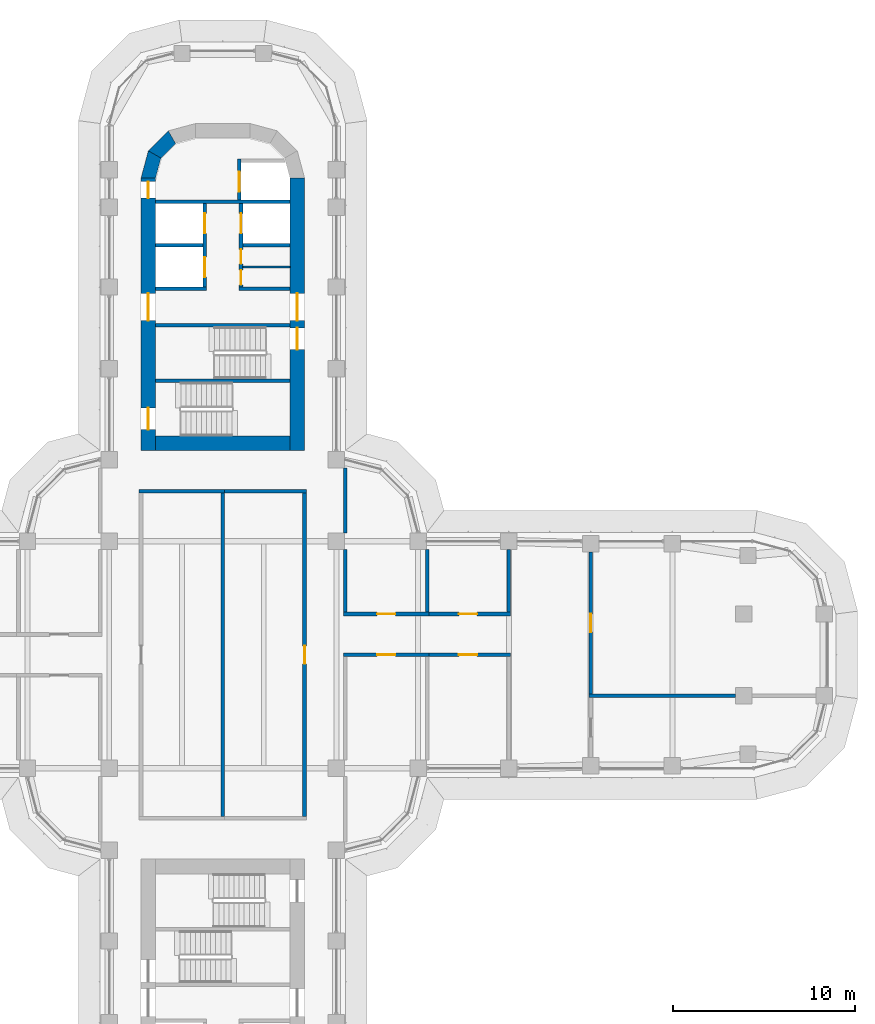
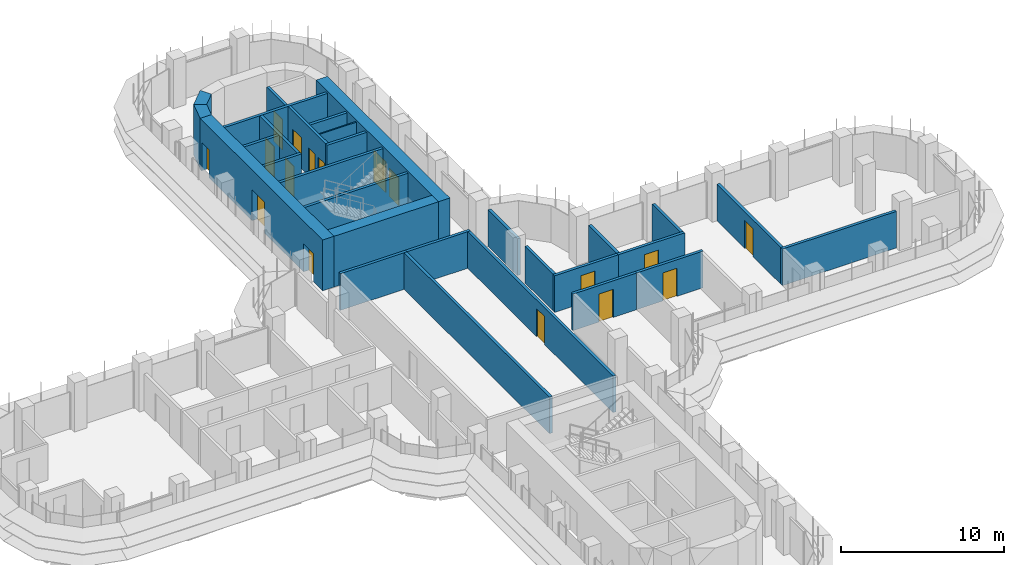
# One storey, part 18 of 23: 30 walls, 17 doors, 17 openings.
"""IFC4 building model written with IfcOpenShell, lengths in metres."""

from ifc_helpers import new_model, si_unit, direction, frame, frame_2d, origin, place, context, subcontext, project, spatial, polyline, rectangle, outline, extrude, material, layer, layer_set, type_object, element, fill, save


model = new_model("IFC4")

# Units and contexts
model_context = context("Model", 3, precision=1e-05, world=origin(), true_north=direction((0.0, 1.0)))
body_context = subcontext(model_context, "Body", "Model", "MODEL_VIEW")
ifc_project = project(units=[si_unit("LENGTHUNIT", "METRE"), si_unit("AREAUNIT", "SQUARE_METRE"), si_unit("VOLUMEUNIT", "CUBIC_METRE"), si_unit("PLANEANGLEUNIT", "RADIAN"), si_unit("MASSUNIT", "GRAM", prefix="KILO")], contexts=[model_context])

# Site, building, storey
site_placement = place(None, origin())
site = spatial("IfcSite", under=ifc_project, at=site_placement, CompositionType="ELEMENT")
building_placement = place(site_placement, origin())
building = spatial("IfcBuilding", under=site, at=building_placement, Name="Zarbagh Exchange Tower", CompositionType="ELEMENT")
storey_placement = place(building_placement, frame((0.0, 0.0, 86.60009765625)))
storey = spatial("IfcBuildingStorey", under=building, at=storey_placement, Name="L19", CompositionType="ELEMENT", Elevation=86.60009765625)

# Wall
ifc_material_1 = material(Name="Dense blockwork", Category="masonry")
ifc_layer_1 = layer(ifc_material_1, 0.10009765625)
ifc_layer_set_1 = layer_set([ifc_layer_1], Name="Core partition 100 mm blockwork")
wall_type_1 = type_object("IfcWallType", Name="Core partition 100 mm blockwork", PredefinedType="PARTITIONING", material=ifc_layer_set_1)
wall_1_placement = place(storey_placement, frame((1.10009765625, 21.35009765625, 0.0), z_axis=(0.0, 0.0, 1.0), x_axis=(1.0, 0.0, 0.0)))
element("IfcWall", 1, at=wall_1_placement, inside=storey, type_object=wall_type_1, Name="North core partition wall CUT-E-700", PredefinedType="PARTITIONING", context=body_context, shape_type="SweptSolid", body=[
    extrude(rectangle(XDim=2.599853515625, YDim=0.10009765625, at=frame_2d((1.2998046875, 0.0))), origin(), (0.0, 0.0, 1.0), 3.64990234375),
])

# Wall, opening, door
ifc_material_2 = material(Name="Fire-rated plasterboard partition")
ifc_layer_2 = layer(ifc_material_2, 0.199951171875)
ifc_layer_set_2 = layer_set([ifc_layer_2], Name="RATED PARTITION 200")
wall_type_2 = type_object("IfcWallType", Name="RATED PARTITION 200", PredefinedType="PARTITIONING", material=ifc_layer_set_2)
wall_2_placement = place(storey_placement, frame((4.5, -8.89990234375, 0.0), z_axis=(0.0, 0.0, 1.0), x_axis=(0.0, 1.0, 0.0)))
wall_2 = element("IfcWall", 2, at=wall_2_placement, inside=storey, type_object=wall_type_2, Name="Partition W-606", PredefinedType="PARTITIONING", context=body_context, shape_type="SweptSolid", body=[
    extrude(rectangle(XDim=17.7998046875, YDim=0.199951171875, at=frame_2d((8.89990234375, 0.0))), origin(), (0.0, 0.0, 1.0), 2.738037109375),
])
opening_1_placement = place(wall_2_placement, frame((8.39990234375, 0.0, 0.0)))
opening_1 = element("IfcOpeningElement", 3, at=opening_1_placement, cuts=wall_2, Name="Opening D-601", PredefinedType="OPENING", context=body_context, shape_type="SweptSolid", body=[
    extrude(rectangle(XDim=1.0, YDim=2.10009765625, at=frame_2d((0.5, 1.050048828125))), frame((0.0, 0.10986328125, 0.0), z_axis=(0.0, -1.0, 0.0), x_axis=(1.0, 0.0, 0.0)), (0.0, 0.0, 1.0), 0.219970703125),
])
ifc_material_3 = material(Name="Steel door set", Category="steel")
door_type_1 = type_object("IfcDoorType", Name="FIRE DOOR 1000 X 2100 FD30S", OperationType="NOTDEFINED", PredefinedType="DOOR", material=ifc_material_3)
door_1_placement = place(opening_1_placement, origin())
door_1 = element("IfcDoor", 4, at=door_1_placement, inside=storey, type_object=door_type_1, Name="Door D-601", OperationType="SINGLE_SWING_RIGHT", OverallHeight=2.10009765625, OverallWidth=1.0, PredefinedType="DOOR", context=body_context, shape_type="SweptSolid", body=[
    extrude(rectangle(XDim=1.0, YDim=2.10009765625, at=frame_2d((0.5, 1.050048828125))), frame((0.0, 0.02490234375, 0.0), z_axis=(0.0, -1.0, 0.0), x_axis=(1.0, 0.0, 0.0)), (0.0, 0.0, 1.0), 0.050048828125),
])
fill(opening_1, door_1)

# Walls
wall_3_placement = place(storey_placement, frame((6.75, 2.35009765625, 0.0), z_axis=(0.0, 0.0, 1.0), x_axis=(0.0, 1.0, 0.0)))
element("IfcWall", 5, at=wall_3_placement, inside=storey, type_object=wall_type_2, Name="Partition W-607", PredefinedType="PARTITIONING", context=body_context, shape_type="SweptSolid", body=[
    extrude(rectangle(XDim=3.449951171875, YDim=0.199951171875, at=frame_2d((1.72509765625, 0.0))), origin(), (0.0, 0.0, 1.0), 2.738037109375),
])
wall_4_placement = place(storey_placement, frame((6.75, 6.699951171875, 0.0), z_axis=(0.0, 0.0, 1.0), x_axis=(0.0, 1.0, 0.0)))
element("IfcWall", 6, at=wall_4_placement, inside=storey, type_object=wall_type_2, Name="Partition W-608", PredefinedType="PARTITIONING", context=body_context, shape_type="SweptSolid", body=[
    extrude(rectangle(XDim=3.60009765625, YDim=0.199951171875, at=frame_2d((1.800048828125, 0.0))), origin(), (0.0, 0.0, 1.0), 2.738037109375),
])
for number, where, z_axis, x_axis, name in (
    (7, (-4.60009765625, 9.0, 0.0), (0.0, 0.0, 1.0), (1.0, 0.0, 0.0), "Partition W-611"),
    (8, (-0.10009765625, 9.0, 0.0), (0.0, 0.0, 1.0), (1.0, 0.0, 0.0), "Partition W-612"),
):
    element("IfcWall", number, at=place(storey_placement, frame(where, z_axis=z_axis, x_axis=x_axis)), inside=storey, type_object=wall_type_2, Name=name, PredefinedType="PARTITIONING", context=body_context, shape_type="SweptSolid", body=[
        extrude(rectangle(XDim=4.7001953125, YDim=0.199951171875, at=frame_2d((2.35009765625, 0.0))), origin(), (0.0, 0.0, 1.0), 2.738037109375),
    ])
wall_5_placement = place(storey_placement, frame((0.0, -8.89990234375, 0.0), z_axis=(0.0, 0.0, 1.0), x_axis=(0.0, 1.0, 0.0)))
element("IfcWall", 9, at=wall_5_placement, inside=storey, type_object=wall_type_2, Name="Partition W-615", PredefinedType="PARTITIONING", context=body_context, shape_type="SweptSolid", body=[
    extrude(rectangle(XDim=17.7998046875, YDim=0.199951171875, at=frame_2d((8.89990234375, 0.0))), origin(), (0.0, 0.0, 1.0), 2.738037109375),
])

# Wall, opening, door
wall_6_placement = place(storey_placement, frame((6.64990234375, 2.25, 0.0), z_axis=(0.0, 0.0, 1.0), x_axis=(1.0, 0.0, 0.0)))
wall_6 = element("IfcWall", 10, at=wall_6_placement, inside=storey, type_object=wall_type_2, Name="Partition W-616", PredefinedType="PARTITIONING", context=body_context, shape_type="SweptSolid", body=[
    extrude(rectangle(XDim=4.7001953125, YDim=0.199951171875, at=frame_2d((2.35009765625, 0.0))), origin(), (0.0, 0.0, 1.0), 2.738037109375),
])
opening_2_placement = place(wall_6_placement, frame((1.85009765625, 0.0, 0.0)))
opening_2 = element("IfcOpeningElement", 11, at=opening_2_placement, cuts=wall_6, Name="Opening D-603", PredefinedType="OPENING", context=body_context, shape_type="SweptSolid", body=[
    extrude(rectangle(XDim=1.0, YDim=2.10009765625, at=frame_2d((0.5, 1.050048828125))), frame((0.0, 0.10986328125, 0.0), z_axis=(0.0, -1.0, 0.0), x_axis=(1.0, 0.0, 0.0)), (0.0, 0.0, 1.0), 0.219970703125),
])
door_2_placement = place(opening_2_placement, origin())
door_2 = element("IfcDoor", 12, at=door_2_placement, inside=storey, type_object=door_type_1, Name="Door D-603", OperationType="SINGLE_SWING_RIGHT", OverallHeight=2.10009765625, OverallWidth=1.0, PredefinedType="DOOR", context=body_context, shape_type="SweptSolid", body=[
    extrude(rectangle(XDim=1.0, YDim=2.10009765625, at=frame_2d((0.5, 1.050048828125))), frame((0.0, 0.02490234375, 0.0), z_axis=(0.0, -1.0, 0.0), x_axis=(1.0, 0.0, 0.0)), (0.0, 0.0, 1.0), 0.050048828125),
])
fill(opening_2, door_2)

wall_7_placement = place(storey_placement, frame((11.35009765625, 0.0, 0.0), z_axis=(0.0, 0.0, 1.0), x_axis=(-1.0, 0.0, 0.0)))
wall_7 = element("IfcWall", 13, at=wall_7_placement, inside=storey, type_object=wall_type_2, Name="Partition W-617", PredefinedType="PARTITIONING", context=body_context, shape_type="SweptSolid", body=[
    extrude(rectangle(XDim=4.7001953125, YDim=0.199951171875, at=frame_2d((2.35009765625, 0.0))), origin(), (0.0, 0.0, 1.0), 2.738037109375),
])
opening_3_placement = place(wall_7_placement, frame((1.85009765625, 0.0, 0.0)))
opening_3 = element("IfcOpeningElement", 14, at=opening_3_placement, cuts=wall_7, Name="Opening D-605", PredefinedType="OPENING", context=body_context, shape_type="SweptSolid", body=[
    extrude(rectangle(XDim=1.0, YDim=2.10009765625, at=frame_2d((0.5, 1.050048828125))), frame((0.0, 0.10986328125, 0.0), z_axis=(0.0, -1.0, 0.0), x_axis=(1.0, 0.0, 0.0)), (0.0, 0.0, 1.0), 0.219970703125),
])
door_3_placement = place(opening_3_placement, origin())
door_3 = element("IfcDoor", 15, at=door_3_placement, inside=storey, type_object=door_type_1, Name="Door D-605", OperationType="SINGLE_SWING_RIGHT", OverallHeight=2.10009765625, OverallWidth=1.0, PredefinedType="DOOR", context=body_context, shape_type="SweptSolid", body=[
    extrude(rectangle(XDim=1.0, YDim=2.10009765625, at=frame_2d((0.5, 1.050048828125))), frame((0.0, 0.02490234375, 0.0), z_axis=(0.0, -1.0, 0.0), x_axis=(1.0, 0.0, 0.0)), (0.0, 0.0, 1.0), 0.050048828125),
])
fill(opening_3, door_3)

wall_8_placement = place(storey_placement, frame((11.14990234375, 2.25, 0.0), z_axis=(0.0, 0.0, 1.0), x_axis=(1.0, 0.0, 0.0)))
wall_8 = element("IfcWall", 16, at=wall_8_placement, inside=storey, type_object=wall_type_2, Name="Partition W-618", PredefinedType="PARTITIONING", context=body_context, shape_type="SweptSolid", body=[
    extrude(rectangle(XDim=4.7001953125, YDim=0.199951171875, at=frame_2d((2.35009765625, 0.0))), origin(), (0.0, 0.0, 1.0), 2.738037109375),
])
opening_4_placement = place(wall_8_placement, frame((1.85009765625, 0.0, 0.0)))
opening_4 = element("IfcOpeningElement", 17, at=opening_4_placement, cuts=wall_8, Name="Opening D-604", PredefinedType="OPENING", context=body_context, shape_type="SweptSolid", body=[
    extrude(rectangle(XDim=1.0, YDim=2.10009765625, at=frame_2d((0.5, 1.050048828125))), frame((0.0, 0.10986328125, 0.0), z_axis=(0.0, -1.0, 0.0), x_axis=(1.0, 0.0, 0.0)), (0.0, 0.0, 1.0), 0.219970703125),
])
door_4_placement = place(opening_4_placement, origin())
door_4 = element("IfcDoor", 18, at=door_4_placement, inside=storey, type_object=door_type_1, Name="Door D-604", OperationType="SINGLE_SWING_RIGHT", OverallHeight=2.10009765625, OverallWidth=1.0, PredefinedType="DOOR", context=body_context, shape_type="SweptSolid", body=[
    extrude(rectangle(XDim=1.0, YDim=2.10009765625, at=frame_2d((0.5, 1.050048828125))), frame((0.0, 0.02490234375, 0.0), z_axis=(0.0, -1.0, 0.0), x_axis=(1.0, 0.0, 0.0)), (0.0, 0.0, 1.0), 0.050048828125),
])
fill(opening_4, door_4)

wall_9_placement = place(storey_placement, frame((15.85009765625, 0.0, 0.0), z_axis=(0.0, 0.0, 1.0), x_axis=(-1.0, 0.0, 0.0)))
wall_9 = element("IfcWall", 19, at=wall_9_placement, inside=storey, type_object=wall_type_2, Name="Partition W-619", PredefinedType="PARTITIONING", context=body_context, shape_type="SweptSolid", body=[
    extrude(rectangle(XDim=4.7001953125, YDim=0.199951171875, at=frame_2d((2.35009765625, 0.0))), origin(), (0.0, 0.0, 1.0), 2.738037109375),
])
opening_5_placement = place(wall_9_placement, frame((1.85009765625, 0.0, 0.0)))
opening_5 = element("IfcOpeningElement", 20, at=opening_5_placement, cuts=wall_9, Name="Opening D-606", PredefinedType="OPENING", context=body_context, shape_type="SweptSolid", body=[
    extrude(rectangle(XDim=1.0, YDim=2.10009765625, at=frame_2d((0.5, 1.050048828125))), frame((0.0, 0.10986328125, 0.0), z_axis=(0.0, -1.0, 0.0), x_axis=(1.0, 0.0, 0.0)), (0.0, 0.0, 1.0), 0.219970703125),
])
door_5_placement = place(opening_5_placement, origin())
door_5 = element("IfcDoor", 21, at=door_5_placement, inside=storey, type_object=door_type_1, Name="Door D-606", OperationType="SINGLE_SWING_RIGHT", OverallHeight=2.10009765625, OverallWidth=1.0, PredefinedType="DOOR", context=body_context, shape_type="SweptSolid", body=[
    extrude(rectangle(XDim=1.0, YDim=2.10009765625, at=frame_2d((0.5, 1.050048828125))), frame((0.0, 0.02490234375, 0.0), z_axis=(0.0, -1.0, 0.0), x_axis=(1.0, 0.0, 0.0)), (0.0, 0.0, 1.0), 0.050048828125),
])
fill(opening_5, door_5)

# Walls
for number, where, z_axis, x_axis, name in (
    (22, (11.25, 2.35009765625, 0.0), (0.0, 0.0, 1.0), (0.0, 1.0, 0.0), "Partition W-620"),
    (23, (15.75, 2.35009765625, 0.0), (0.0, 0.0, 1.0), (0.0, 1.0, 0.0), "Partition W-622"),
):
    element("IfcWall", number, at=place(storey_placement, frame(where, z_axis=z_axis, x_axis=x_axis)), inside=storey, type_object=wall_type_2, Name=name, PredefinedType="PARTITIONING", context=body_context, shape_type="SweptSolid", body=[
        extrude(rectangle(XDim=3.449951171875, YDim=0.199951171875, at=frame_2d((1.72509765625, 0.0))), origin(), (0.0, 0.0, 1.0), 2.738037109375),
    ])

# Wall, opening, door
wall_10_placement = place(storey_placement, frame((20.25, 5.659912109375, 0.0), z_axis=(0.0, 0.0, 1.0), x_axis=(0.0, -1.0, 0.0)))
wall_10 = element("IfcWall", 24, at=wall_10_placement, inside=storey, type_object=wall_type_2, Name="Partition W-625", PredefinedType="PARTITIONING", context=body_context, shape_type="SweptSolid", body=[
    extrude(rectangle(XDim=7.809814453125, YDim=0.199951171875, at=frame_2d((3.90478515625, 0.0))), origin(), (0.0, 0.0, 1.0), 2.738037109375),
])
opening_6_placement = place(wall_10_placement, frame((3.405029296875, 0.0, 0.0)))
opening_6 = element("IfcOpeningElement", 25, at=opening_6_placement, cuts=wall_10, Name="Opening D-608", PredefinedType="OPENING", context=body_context, shape_type="SweptSolid", body=[
    extrude(rectangle(XDim=1.0, YDim=2.10009765625, at=frame_2d((0.5, 1.050048828125))), frame((0.0, 0.10986328125, 0.0), z_axis=(0.0, -1.0, 0.0), x_axis=(1.0, 0.0, 0.0)), (0.0, 0.0, 1.0), 0.219970703125),
])
door_6_placement = place(opening_6_placement, origin())
door_6 = element("IfcDoor", 26, at=door_6_placement, inside=storey, type_object=door_type_1, Name="Door D-608", OperationType="SINGLE_SWING_RIGHT", OverallHeight=2.10009765625, OverallWidth=1.0, PredefinedType="DOOR", context=body_context, shape_type="SweptSolid", body=[
    extrude(rectangle(XDim=1.0, YDim=2.10009765625, at=frame_2d((0.5, 1.050048828125))), frame((0.0, 0.02490234375, 0.0), z_axis=(0.0, -1.0, 0.0), x_axis=(1.0, 0.0, 0.0)), (0.0, 0.0, 1.0), 0.050048828125),
])
fill(opening_6, door_6)

# Walls
wall_11_placement = place(storey_placement, frame((20.14990234375, -2.25, 0.0), z_axis=(0.0, 0.0, 1.0), x_axis=(1.0, 0.0, 0.0)))
element("IfcWall", 27, at=wall_11_placement, inside=storey, type_object=wall_type_2, Name="Partition W-626", PredefinedType="PARTITIONING", context=body_context, shape_type="SweptSolid", body=[
    extrude(rectangle(XDim=8.070068359375, YDim=0.199951171875, at=frame_2d((4.03515625, 0.0))), origin(), (0.0, 0.0, 1.0), 2.738037109375),
])
ifc_material_4 = material(Name="Concrete C60/75", Category="concrete")
ifc_layer_3 = layer(ifc_material_4, 0.800048828125)
ifc_layer_set_3 = layer_set([ifc_layer_3], Name="RC core corner wall 800 C60/75")
wall_type_3 = type_object("IfcWallType", Name="RC core corner wall 800 C60/75", PredefinedType="SHEAR", material=ifc_layer_set_3)
wall_12_placement = place(storey_placement, origin())
element("IfcWall", 28, at=wall_12_placement, inside=storey, type_object=wall_type_3, Name="CW4 core N corner W", PredefinedType="SHEAR", context=body_context, shape_type="SweptSolid", body=[
    extrude(outline(polyline([(-4.5, 26.25), (-4.09814453125, 27.75), (-3.4052734375, 27.35009765625), (-3.699951171875, 26.25), (-4.5, 26.25)])), origin(), (0.0, 0.0, 1.0), 3.7998046875),
])
wall_13_placement = place(storey_placement, origin())
element("IfcWall", 29, at=wall_13_placement, inside=storey, type_object=wall_type_3, Name="CW4 core N corner W", PredefinedType="SHEAR", context=body_context, shape_type="SweptSolid", body=[
    extrude(outline(polyline([(-4.09814453125, 27.75), (-3.0, 28.84814453125), (-2.60009765625, 28.1552734375), (-3.4052734375, 27.35009765625), (-4.09814453125, 27.75)])), origin(), (0.0, 0.0, 1.0), 3.7998046875),
])

# Wall, openings, doors
ifc_layer_4 = layer(ifc_material_4, 0.800048828125)
ifc_layer_set_4 = layer_set([ifc_layer_4], Name="RC core wall 800 C60/75")
wall_type_4 = type_object("IfcWallType", Name="RC core wall 800 C60/75", PredefinedType="SHEAR", material=ifc_layer_set_4)
wall_14_placement = place(storey_placement, frame((-4.10009765625, 11.25, 0.0), z_axis=(0.0, 0.0, 1.0), x_axis=(0.0, 1.0, 0.0)))
wall_14 = element("IfcWall", 30, at=wall_14_placement, inside=storey, type_object=wall_type_4, Name="CW3 core N W", PredefinedType="SHEAR", context=body_context, shape_type="SweptSolid", body=[
    extrude(rectangle(XDim=15.0, YDim=0.800048828125, at=frame_2d((7.5, 0.0))), origin(), (0.0, 0.0, 1.0), 3.7998046875),
])
opening_7_placement = place(wall_14_placement, frame((7.14990234375, 0.0, 0.0)))
opening_7 = element("IfcOpeningElement", 31, at=opening_7_placement, cuts=wall_14, Name="Opening CD1-1500", PredefinedType="OPENING", context=body_context, shape_type="SweptSolid", body=[
    extrude(rectangle(XDim=1.5, YDim=2.300048828125, at=frame_2d((0.75, 1.14990234375))), frame((0.0, 0.409912109375, 0.0), z_axis=(0.0, -1.0, 0.0), x_axis=(1.0, 0.0, 0.0)), (0.0, 0.0, 1.0), 0.820068359375),
])
opening_8_placement = place(wall_14_placement, frame((13.89990234375, 0.0, 0.0)))
opening_8 = element("IfcOpeningElement", 32, at=opening_8_placement, cuts=wall_14, Name="Opening CD2-900", PredefinedType="OPENING", context=body_context, shape_type="SweptSolid", body=[
    extrude(rectangle(XDim=0.89990234375, YDim=2.10009765625, at=frame_2d((0.449951171875, 1.050048828125))), frame((0.0, 0.409912109375, 0.0), z_axis=(0.0, -1.0, 0.0), x_axis=(1.0, 0.0, 0.0)), (0.0, 0.0, 1.0), 0.820068359375),
])
opening_9_placement = place(wall_14_placement, frame((1.14990234375, 0.0, 0.0)))
opening_9 = element("IfcOpeningElement", 33, at=opening_9_placement, cuts=wall_14, Name="Opening SD1-1200", PredefinedType="OPENING", context=body_context, shape_type="SweptSolid", body=[
    extrude(rectangle(XDim=1.199951171875, YDim=2.10009765625, at=frame_2d((0.60009765625, 1.050048828125))), frame((0.0, 0.409912109375, 0.0), z_axis=(0.0, -1.0, 0.0), x_axis=(1.0, 0.0, 0.0)), (0.0, 0.0, 1.0), 0.820068359375),
])
ifc_material_5 = material(Name="Steel", Category="steel")
door_type_2 = type_object("IfcDoorType", Name="Exit stair door 1200 x 2100", OperationType="NOTDEFINED", PredefinedType="DOOR", material=ifc_material_5)
door_7_placement = place(opening_9_placement, origin())
door_7 = element("IfcDoor", 34, at=door_7_placement, inside=storey, type_object=door_type_2, Name="North core stair door ST2", OperationType="SINGLE_SWING_RIGHT", OverallHeight=2.10009765625, OverallWidth=1.199951171875, PredefinedType="DOOR", context=body_context, shape_type="SweptSolid", body=[
    extrude(rectangle(XDim=1.199951171875, YDim=2.10009765625, at=frame_2d((0.60009765625, 1.050048828125))), frame((0.0, 0.02490234375, 0.0), z_axis=(0.0, -1.0, 0.0), x_axis=(1.0, 0.0, 0.0)), (0.0, 0.0, 1.0), 0.050048828125),
])
fill(opening_9, door_7)
door_type_3 = type_object("IfcDoorType", Name="Firefighting lobby door 900 x 2100", OperationType="NOTDEFINED", PredefinedType="DOOR", material=ifc_material_5)
door_8_placement = place(opening_8_placement, origin())
door_8 = element("IfcDoor", 35, at=door_8_placement, inside=storey, type_object=door_type_3, Name="North core firefighting lobby door FF-W", OperationType="SINGLE_SWING_RIGHT", OverallHeight=2.10009765625, OverallWidth=0.89990234375, PredefinedType="DOOR", context=body_context, shape_type="SweptSolid", body=[
    extrude(rectangle(XDim=0.89990234375, YDim=2.10009765625, at=frame_2d((0.449951171875, 1.050048828125))), frame((0.0, 0.02490234375, 0.0), z_axis=(0.0, -1.0, 0.0), x_axis=(1.0, 0.0, 0.0)), (0.0, 0.0, 1.0), 0.050048828125),
])
fill(opening_8, door_8)
door_type_4 = type_object("IfcDoorType", Name="Lift lobby double door 1500 x 2300", OperationType="NOTDEFINED", PredefinedType="DOOR", material=ifc_material_5)
door_9_placement = place(opening_7_placement, origin())
door_9 = element("IfcDoor", 36, at=door_9_placement, inside=storey, type_object=door_type_4, Name="North core lift lobby door LOBBY-W", OperationType="DOUBLE_DOOR_SINGLE_SWING", OverallHeight=2.300048828125, OverallWidth=1.5, PredefinedType="DOOR", context=body_context, shape_type="SweptSolid", body=[
    extrude(rectangle(XDim=1.5, YDim=2.300048828125, at=frame_2d((0.75, 1.14990234375))), frame((0.0, 0.02490234375, 0.0), z_axis=(0.0, -1.0, 0.0), x_axis=(1.0, 0.0, 0.0)), (0.0, 0.0, 1.0), 0.050048828125),
])
fill(opening_7, door_9)

wall_15_placement = place(storey_placement, frame((4.10009765625, 11.25, 0.0), z_axis=(0.0, 0.0, 1.0), x_axis=(0.0, 1.0, 0.0)))
wall_15 = element("IfcWall", 37, at=wall_15_placement, inside=storey, type_object=wall_type_4, Name="CW3 core N E", PredefinedType="SHEAR", context=body_context, shape_type="SweptSolid", body=[
    extrude(rectangle(XDim=15.0, YDim=0.800048828125, at=frame_2d((7.5, 0.0))), origin(), (0.0, 0.0, 1.0), 3.7998046875),
])
opening_10_placement = place(wall_15_placement, frame((7.14990234375, 0.0, 0.0)))
opening_10 = element("IfcOpeningElement", 38, at=opening_10_placement, cuts=wall_15, Name="Opening CD1-1500", PredefinedType="OPENING", context=body_context, shape_type="SweptSolid", body=[
    extrude(rectangle(XDim=1.5, YDim=2.300048828125, at=frame_2d((0.75, 1.14990234375))), frame((0.0, 0.409912109375, 0.0), z_axis=(0.0, -1.0, 0.0), x_axis=(1.0, 0.0, 0.0)), (0.0, 0.0, 1.0), 0.820068359375),
])
opening_11_placement = place(wall_15_placement, frame((5.550048828125, 0.0, 0.0)))
opening_11 = element("IfcOpeningElement", 39, at=opening_11_placement, cuts=wall_15, Name="Opening SD1-1200", PredefinedType="OPENING", context=body_context, shape_type="SweptSolid", body=[
    extrude(rectangle(XDim=1.199951171875, YDim=2.10009765625, at=frame_2d((0.60009765625, 1.050048828125))), frame((0.0, 0.409912109375, 0.0), z_axis=(0.0, -1.0, 0.0), x_axis=(1.0, 0.0, 0.0)), (0.0, 0.0, 1.0), 0.820068359375),
])
door_10_placement = place(opening_11_placement, origin())
door_10 = element("IfcDoor", 40, at=door_10_placement, inside=storey, type_object=door_type_2, Name="North core stair door ST1", OperationType="SINGLE_SWING_LEFT", OverallHeight=2.10009765625, OverallWidth=1.199951171875, PredefinedType="DOOR", context=body_context, shape_type="SweptSolid", body=[
    extrude(rectangle(XDim=1.199951171875, YDim=2.10009765625, at=frame_2d((0.60009765625, 1.050048828125))), frame((0.0, 0.02490234375, 0.0), z_axis=(0.0, -1.0, 0.0), x_axis=(1.0, 0.0, 0.0)), (0.0, 0.0, 1.0), 0.050048828125),
])
fill(opening_11, door_10)
door_11_placement = place(opening_10_placement, origin())
door_11 = element("IfcDoor", 41, at=door_11_placement, inside=storey, type_object=door_type_4, Name="North core lift lobby door LOBBY-E", OperationType="DOUBLE_DOOR_SINGLE_SWING", OverallHeight=2.300048828125, OverallWidth=1.5, PredefinedType="DOOR", context=body_context, shape_type="SweptSolid", body=[
    extrude(rectangle(XDim=1.5, YDim=2.300048828125, at=frame_2d((0.75, 1.14990234375))), frame((0.0, 0.02490234375, 0.0), z_axis=(0.0, -1.0, 0.0), x_axis=(1.0, 0.0, 0.0)), (0.0, 0.0, 1.0), 0.050048828125),
])
fill(opening_10, door_11)

# Walls
wall_16_placement = place(storey_placement, frame((-3.699951171875, 11.64990234375, 0.0), z_axis=(0.0, 0.0, 1.0), x_axis=(1.0, 0.0, 0.0)))
element("IfcWall", 42, at=wall_16_placement, inside=storey, type_object=wall_type_4, Name="CW3 core N inner end", PredefinedType="SHEAR", context=body_context, shape_type="SweptSolid", body=[
    extrude(rectangle(XDim=7.39990234375, YDim=0.800048828125, at=frame_2d((3.699951171875, 0.0))), origin(), (0.0, 0.0, 1.0), 3.7998046875),
])
ifc_layer_5 = layer(ifc_material_1, 0.199951171875)
ifc_layer_set_5 = layer_set([ifc_layer_5], Name="Shaft wall 200 mm blockwork")
wall_type_5 = type_object("IfcWallType", Name="Shaft wall 200 mm blockwork", PredefinedType="PARTITIONING", material=ifc_layer_set_5)
wall_17_placement = place(storey_placement, frame((-3.699951171875, 20.14990234375, 0.0), z_axis=(0.0, 0.0, 1.0), x_axis=(1.0, 0.0, 0.0)))
element("IfcWall", 43, at=wall_17_placement, inside=storey, type_object=wall_type_5, Name="North core shaft wall AB-W", PredefinedType="PARTITIONING", context=body_context, shape_type="SweptSolid", body=[
    extrude(rectangle(XDim=2.800048828125, YDim=0.199951171875, at=frame_2d((1.39990234375, 0.0))), origin(), (0.0, 0.0, 1.0), 3.64990234375),
])

# Wall, openings, doors
wall_18_placement = place(storey_placement, frame((-1.0, 24.85009765625, 0.0), z_axis=(0.0, 0.0, 1.0), x_axis=(0.0, -1.0, 0.0)))
wall_18 = element("IfcWall", 44, at=wall_18_placement, inside=storey, type_object=wall_type_5, Name="North core shaft wall LW-W", PredefinedType="PARTITIONING", context=body_context, shape_type="SweptSolid", body=[
    extrude(rectangle(XDim=4.60009765625, YDim=0.199951171875, at=frame_2d((2.300048828125, 0.0))), origin(), (0.0, 0.0, 1.0), 3.64990234375),
])
opening_12_placement = place(wall_18_placement, frame((0.550048828125, 0.0, 0.0)))
opening_12 = element("IfcOpeningElement", 45, at=opening_12_placement, cuts=wall_18, Name="Opening LD-1100", PredefinedType="OPENING", context=body_context, shape_type="SweptSolid", body=[
    extrude(rectangle(XDim=1.10009765625, YDim=2.300048828125, at=frame_2d((0.550048828125, 1.14990234375))), frame((0.0, 0.10986328125, 0.0), z_axis=(0.0, -1.0, 0.0), x_axis=(1.0, 0.0, 0.0)), (0.0, 0.0, 1.0), 0.219970703125),
])
opening_13_placement = place(wall_18_placement, frame((2.949951171875, 0.0, 0.0)))
opening_13 = element("IfcOpeningElement", 46, at=opening_13_placement, cuts=wall_18, Name="Opening LD-1100", PredefinedType="OPENING", context=body_context, shape_type="SweptSolid", body=[
    extrude(rectangle(XDim=1.10009765625, YDim=2.300048828125, at=frame_2d((0.550048828125, 1.14990234375))), frame((0.0, 0.10986328125, 0.0), z_axis=(0.0, -1.0, 0.0), x_axis=(1.0, 0.0, 0.0)), (0.0, 0.0, 1.0), 0.219970703125),
])
ifc_material_6 = material(Name="Stainless steel", Category="steel")
door_type_5 = type_object("IfcDoorType", Name="Lift landing door 1100 x 2300", OperationType="NOTDEFINED", PredefinedType="DOOR", material=ifc_material_6)
door_12_placement = place(opening_12_placement, origin())
door_12 = element("IfcDoor", 47, at=door_12_placement, inside=storey, type_object=door_type_5, Name="North core lift landing door LD-P-N1", OperationType="DOUBLE_DOOR_SLIDING", OverallHeight=2.300048828125, OverallWidth=1.10009765625, PredefinedType="DOOR", context=body_context, shape_type="SweptSolid", body=[
    extrude(rectangle(XDim=1.10009765625, YDim=2.300048828125, at=frame_2d((0.550048828125, 1.14990234375))), frame((0.0, 0.02490234375, 0.0), z_axis=(0.0, -1.0, 0.0), x_axis=(1.0, 0.0, 0.0)), (0.0, 0.0, 1.0), 0.050048828125),
])
fill(opening_12, door_12)
door_13_placement = place(opening_13_placement, origin())
door_13 = element("IfcDoor", 48, at=door_13_placement, inside=storey, type_object=door_type_5, Name="North core lift landing door LD-P-N2", OperationType="DOUBLE_DOOR_SLIDING", OverallHeight=2.300048828125, OverallWidth=1.10009765625, PredefinedType="DOOR", context=body_context, shape_type="SweptSolid", body=[
    extrude(rectangle(XDim=1.10009765625, YDim=2.300048828125, at=frame_2d((0.550048828125, 1.14990234375))), frame((0.0, 0.02490234375, 0.0), z_axis=(0.0, -1.0, 0.0), x_axis=(1.0, 0.0, 0.0)), (0.0, 0.0, 1.0), 0.050048828125),
])
fill(opening_13, door_13)

# Wall
wall_19_placement = place(storey_placement, frame((0.89990234375, 20.14990234375, 0.0), z_axis=(0.0, 0.0, 1.0), x_axis=(1.0, 0.0, 0.0)))
element("IfcWall", 49, at=wall_19_placement, inside=storey, type_object=wall_type_5, Name="North core shaft wall AB-E", PredefinedType="PARTITIONING", context=body_context, shape_type="SweptSolid", body=[
    extrude(rectangle(XDim=2.800048828125, YDim=0.199951171875, at=frame_2d((1.39990234375, 0.0))), origin(), (0.0, 0.0, 1.0), 3.64990234375),
])

# Wall, openings, doors
wall_20_placement = place(storey_placement, frame((1.0, 24.85009765625, 0.0), z_axis=(0.0, 0.0, 1.0), x_axis=(0.0, -1.0, 0.0)))
wall_20 = element("IfcWall", 50, at=wall_20_placement, inside=storey, type_object=wall_type_5, Name="North core shaft wall LW-E", PredefinedType="PARTITIONING", context=body_context, shape_type="SweptSolid", body=[
    extrude(rectangle(XDim=4.60009765625, YDim=0.199951171875, at=frame_2d((2.300048828125, 0.0))), origin(), (0.0, 0.0, 1.0), 3.64990234375),
])
opening_14_placement = place(wall_20_placement, frame((0.550048828125, 0.0, 0.0)))
opening_14 = element("IfcOpeningElement", 51, at=opening_14_placement, cuts=wall_20, Name="Opening LD-1100", PredefinedType="OPENING", context=body_context, shape_type="SweptSolid", body=[
    extrude(rectangle(XDim=1.10009765625, YDim=2.300048828125, at=frame_2d((0.550048828125, 1.14990234375))), frame((0.0, 0.10986328125, 0.0), z_axis=(0.0, -1.0, 0.0), x_axis=(1.0, 0.0, 0.0)), (0.0, 0.0, 1.0), 0.219970703125),
])
opening_15_placement = place(wall_20_placement, frame((2.52490234375, 0.0, 0.0)))
opening_15 = element("IfcOpeningElement", 52, at=opening_15_placement, cuts=wall_20, Name="Opening CD3-800", PredefinedType="OPENING", context=body_context, shape_type="SweptSolid", body=[
    extrude(rectangle(XDim=0.800048828125, YDim=2.10009765625, at=frame_2d((0.39990234375, 1.050048828125))), frame((0.0, 0.10986328125, 0.0), z_axis=(0.0, -1.0, 0.0), x_axis=(1.0, 0.0, 0.0)), (0.0, 0.0, 1.0), 0.219970703125),
])
opening_16_placement = place(wall_20_placement, frame((3.675048828125, 0.0, 0.0)))
opening_16 = element("IfcOpeningElement", 53, at=opening_16_placement, cuts=wall_20, Name="Opening CD3-800", PredefinedType="OPENING", context=body_context, shape_type="SweptSolid", body=[
    extrude(rectangle(XDim=0.800048828125, YDim=2.10009765625, at=frame_2d((0.39990234375, 1.050048828125))), frame((0.0, 0.10986328125, 0.0), z_axis=(0.0, -1.0, 0.0), x_axis=(1.0, 0.0, 0.0)), (0.0, 0.0, 1.0), 0.219970703125),
])
door_type_6 = type_object("IfcDoorType", Name="Core room door 800 x 2100", OperationType="NOTDEFINED", PredefinedType="DOOR", material=ifc_material_5)
door_14_placement = place(opening_15_placement, origin())
door_14 = element("IfcDoor", 54, at=door_14_placement, inside=storey, type_object=door_type_6, Name="North core Store door RD-E-0", OperationType="SINGLE_SWING_RIGHT", OverallHeight=2.10009765625, OverallWidth=0.800048828125, PredefinedType="DOOR", context=body_context, shape_type="SweptSolid", body=[
    extrude(rectangle(XDim=0.800048828125, YDim=2.10009765625, at=frame_2d((0.39990234375, 1.050048828125))), frame((0.0, 0.02490234375, 0.0), z_axis=(0.0, -1.0, 0.0), x_axis=(1.0, 0.0, 0.0)), (0.0, 0.0, 1.0), 0.050048828125),
])
fill(opening_15, door_14)
door_15_placement = place(opening_16_placement, origin())
door_15 = element("IfcDoor", 55, at=door_15_placement, inside=storey, type_object=door_type_6, Name="North core IT room door RD-E-1", OperationType="SINGLE_SWING_LEFT", OverallHeight=2.10009765625, OverallWidth=0.800048828125, PredefinedType="DOOR", context=body_context, shape_type="SweptSolid", body=[
    extrude(rectangle(XDim=0.800048828125, YDim=2.10009765625, at=frame_2d((0.39990234375, 1.050048828125))), frame((0.0, 0.02490234375, 0.0), z_axis=(0.0, -1.0, 0.0), x_axis=(1.0, 0.0, 0.0)), (0.0, 0.0, 1.0), 0.050048828125),
])
fill(opening_16, door_15)
door_16_placement = place(opening_14_placement, origin())
door_16 = element("IfcDoor", 56, at=door_16_placement, inside=storey, type_object=door_type_5, Name="North core lift landing door LD-P-N3", OperationType="DOUBLE_DOOR_SLIDING", OverallHeight=2.300048828125, OverallWidth=1.10009765625, PredefinedType="DOOR", context=body_context, shape_type="SweptSolid", body=[
    extrude(rectangle(XDim=1.10009765625, YDim=2.300048828125, at=frame_2d((0.550048828125, 1.14990234375))), frame((0.0, 0.02490234375, 0.0), z_axis=(0.0, -1.0, 0.0), x_axis=(1.0, 0.0, 0.0)), (0.0, 0.0, 1.0), 0.050048828125),
])
fill(opening_14, door_16)

# Walls
for number, where, z_axis, x_axis, name in (
    (57, (-3.699951171875, 22.550048828125, 0.0), (0.0, 0.0, 1.0), (1.0, 0.0, 0.0), "North core shaft wall TR-W"),
    (58, (1.10009765625, 22.550048828125, 0.0), (0.0, 0.0, 1.0), (1.0, 0.0, 0.0), "North core shaft wall TR-E"),
):
    element("IfcWall", number, at=place(storey_placement, frame(where, z_axis=z_axis, x_axis=x_axis)), inside=storey, type_object=wall_type_5, Name=name, PredefinedType="PARTITIONING", context=body_context, shape_type="SweptSolid", body=[
        extrude(rectangle(XDim=2.599853515625, YDim=0.199951171875, at=frame_2d((1.2998046875, 0.0))), origin(), (0.0, 0.0, 1.0), 3.64990234375),
    ])
ifc_material_7 = material(Name="Concrete C40/50", Category="concrete")
ifc_layer_6 = layer(ifc_material_7, 0.199951171875)
ifc_layer_set_6 = layer_set([ifc_layer_6], Name="Stair enclosure wall 200 mm RC C40/50")
wall_type_6 = type_object("IfcWallType", Name="Stair enclosure wall 200 mm RC C40/50", PredefinedType="SHEAR", material=ifc_layer_set_6)
wall_21_placement = place(storey_placement, frame((-3.699951171875, 24.949951171875, 0.0), z_axis=(0.0, 0.0, 1.0), x_axis=(1.0, 0.0, 0.0)))
element("IfcWall", 59, at=wall_21_placement, inside=storey, type_object=wall_type_6, Name="North core lift shaft wall FFA", PredefinedType="SHEAR", context=body_context, shape_type="SweptSolid", body=[
    extrude(rectangle(XDim=7.39990234375, YDim=0.199951171875, at=frame_2d((3.699951171875, 0.0))), origin(), (0.0, 0.0, 1.0), 3.64990234375),
])

# Wall, opening, door
wall_22_placement = place(storey_placement, frame((0.89990234375, 27.300048828125, 0.0), z_axis=(0.0, 0.0, 1.0), x_axis=(0.0, -1.0, 0.0)))
wall_22 = element("IfcWall", 60, at=wall_22_placement, inside=storey, type_object=wall_type_6, Name="North core lift shaft wall FFL", PredefinedType="SHEAR", context=body_context, shape_type="SweptSolid", body=[
    extrude(rectangle(XDim=2.25, YDim=0.199951171875, at=frame_2d((1.125, 0.0))), origin(), (0.0, 0.0, 1.0), 3.64990234375),
])
opening_17_placement = place(wall_22_placement, frame((0.699951171875, 0.0, 0.0)))
opening_17 = element("IfcOpeningElement", 61, at=opening_17_placement, cuts=wall_22, Name="Opening LD-1100", PredefinedType="OPENING", context=body_context, shape_type="SweptSolid", body=[
    extrude(rectangle(XDim=1.10009765625, YDim=2.300048828125, at=frame_2d((0.550048828125, 1.14990234375))), frame((0.0, 0.10986328125, 0.0), z_axis=(0.0, -1.0, 0.0), x_axis=(1.0, 0.0, 0.0)), (0.0, 0.0, 1.0), 0.219970703125),
])
door_17_placement = place(opening_17_placement, origin())
door_17 = element("IfcDoor", 62, at=door_17_placement, inside=storey, type_object=door_type_5, Name="North core lift landing door LD-F", OperationType="DOUBLE_DOOR_SLIDING", OverallHeight=2.300048828125, OverallWidth=1.10009765625, PredefinedType="DOOR", context=body_context, shape_type="SweptSolid", body=[
    extrude(rectangle(XDim=1.10009765625, YDim=2.300048828125, at=frame_2d((0.550048828125, 1.14990234375))), frame((0.0, 0.02490234375, 0.0), z_axis=(0.0, -1.0, 0.0), x_axis=(1.0, 0.0, 0.0)), (0.0, 0.0, 1.0), 0.050048828125),
])
fill(opening_17, door_17)

# Walls
for number, where, z_axis, x_axis, name in (
    (63, (-3.699951171875, 18.14990234375, 0.0), (0.0, 0.0, 1.0), (1.0, 0.0, 0.0), "North core stair wall BS"),
    (64, (-3.699951171875, 15.10009765625, 0.0), (0.0, 0.0, 1.0), (1.0, 0.0, 0.0), "North core stair wall ST12"),
):
    element("IfcWall", number, at=place(storey_placement, frame(where, z_axis=z_axis, x_axis=x_axis)), inside=storey, type_object=wall_type_6, Name=name, PredefinedType="SHEAR", context=body_context, shape_type="SweptSolid", body=[
        extrude(rectangle(XDim=7.39990234375, YDim=0.199951171875, at=frame_2d((3.699951171875, 0.0))), origin(), (0.0, 0.0, 1.0), 3.64990234375),
    ])

save(model, "model.ifc")
